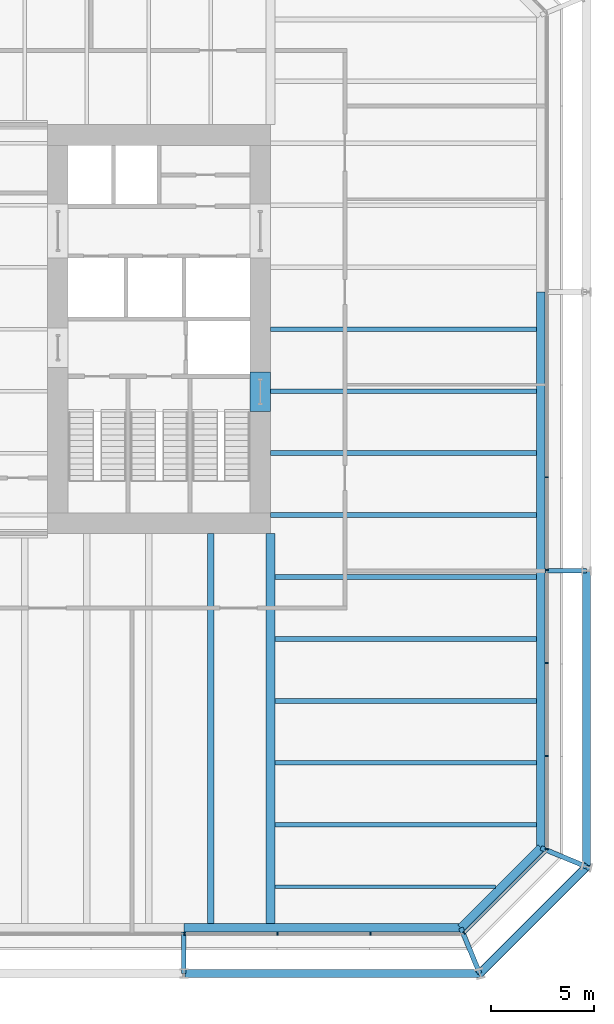
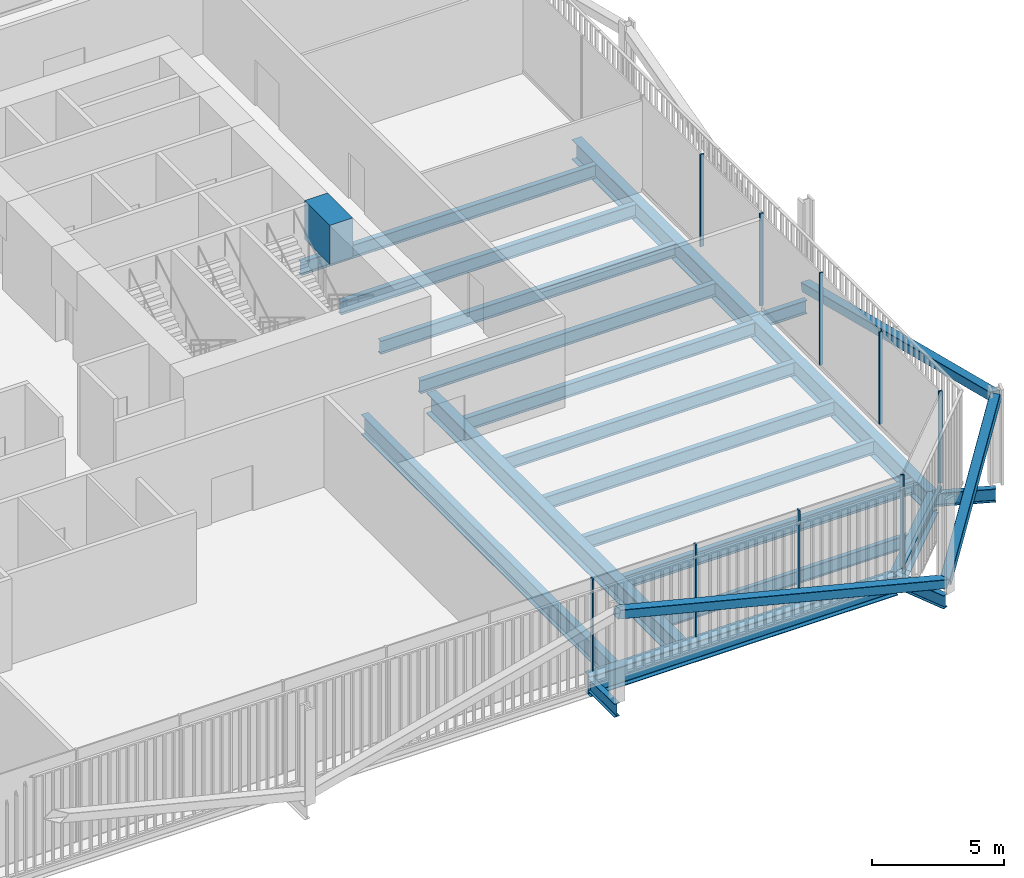
# One storey, part 8 of 21: 21 beams, 13 members, 3 elements without a shape of their own.
"""IFC4 building model written with IfcOpenShell, lengths in metres."""

from ifc_helpers import new_model, si_unit, direction, frame, origin, origin_2d, place, context, subcontext, project, spatial, rectangle, hollow_rectangle, i_section, extrude, material, layer, layer_set, material_profile, profile_set, type_object, element, aggregate, save


model = new_model("IFC4")

# Units and contexts
model_context = context("Model", 3, precision=1e-05, world=origin(), true_north=direction((0.0, 1.0)))
body_context = subcontext(model_context, "Body", "Model", "MODEL_VIEW")
ifc_project = project(units=[si_unit("LENGTHUNIT", "METRE"), si_unit("AREAUNIT", "SQUARE_METRE"), si_unit("VOLUMEUNIT", "CUBIC_METRE"), si_unit("PLANEANGLEUNIT", "RADIAN"), si_unit("MASSUNIT", "GRAM", prefix="KILO")], contexts=[model_context])

# Site, building, storey
site_placement = place(None, origin())
site = spatial("IfcSite", under=ifc_project, at=site_placement, CompositionType="ELEMENT")
building_placement = place(site_placement, origin())
building = spatial("IfcBuilding", under=site, at=building_placement, Name="Millrace Tower", CompositionType="ELEMENT")
storey_placement = place(building_placement, frame((0.0, 0.0, 90.800048828125)))
storey = spatial("IfcBuildingStorey", under=building, at=storey_placement, Name="L20", CompositionType="ELEMENT", Elevation=90.800048828125)

# Curtain wall, members
ifc_material_1 = material(Name="Aluminium and glass", Category="aluminium")
ifc_layer = layer(ifc_material_1, 0.14990234375)
ifc_layer_set = layer_set([ifc_layer], Name="Aluminium and glass")
curtain_wall_type = type_object("IfcCurtainWallType", Name="CW-3 telecom floor curtain wall", PredefinedType="NOTDEFINED", material=ifc_layer_set)
placement = place(storey_placement, origin())
curtain_wall_1 = element("IfcCurtainWall", 1, at=placement, inside=storey, type_object=curtain_wall_type, Name="Curtain wall B-F02 L20", PredefinedType="NOTDEFINED")
ifc_material_2 = material(Name="Aluminium", Category="aluminium")
ifc_material_profile_1 = material_profile(ifc_material_2, rectangle(XDim=0.06494140625, YDim=0.14990234375, at=origin_2d()))
ifc_profile_set_1 = profile_set([ifc_material_profile_1], Name="Aluminium")
member_type_1 = type_object("IfcMemberType", Name="CW-3 telecom floor curtain wall mullion", PredefinedType="MULLION", material=ifc_profile_set_1)
member_1_placement = place(storey_placement, frame((10.732421875, -29.27490234375, 0.14990234375), z_axis=(0.0, 0.0, 1.0), x_axis=(1.0, 0.0, 0.0)))
member_1 = element("IfcMember", 2, at=member_1_placement, type_object=member_type_1, Name="CW3 mullion B-F02.7", PredefinedType="MULLION", context=body_context, shape_type="SweptSolid", body=[
    extrude(rectangle(XDim=0.06494140625, YDim=0.14990234375, at=origin_2d()), origin(), (0.0, 0.0, 1.0), 4.25),
])
member_2_placement = place(storey_placement, frame((15.232421875, -29.27490234375, 0.14990234375), z_axis=(0.0, 0.0, 1.0), x_axis=(1.0, 0.0, 0.0)))
member_2 = element("IfcMember", 3, at=member_2_placement, type_object=member_type_1, Name="CW3 mullion B-F02.8", PredefinedType="MULLION", context=body_context, shape_type="SweptSolid", body=[
    extrude(rectangle(XDim=0.06494140625, YDim=0.14990234375, at=origin_2d()), origin(), (0.0, 0.0, 1.0), 4.25),
])
member_3_placement = place(storey_placement, frame((19.732421875, -29.27490234375, 0.14990234375), z_axis=(0.0, 0.0, 1.0), x_axis=(1.0, 0.0, 0.0)))
member_3 = element("IfcMember", 4, at=member_3_placement, type_object=member_type_1, Name="CW3 mullion B-F02.9", PredefinedType="MULLION", context=body_context, shape_type="SweptSolid", body=[
    extrude(rectangle(XDim=0.06494140625, YDim=0.14990234375, at=origin_2d()), origin(), (0.0, 0.0, 1.0), 4.25),
])
aggregate(curtain_wall_1, [member_1, member_2, member_3])

# Curtain wall, member
curtain_wall_2 = element("IfcCurtainWall", 5, at=placement, inside=storey, type_object=curtain_wall_type, Name="Curtain wall B-F03 L20", PredefinedType="NOTDEFINED")
member_4_placement = place(storey_placement, frame((24.276123046875, -29.22998046875, 0.14990234375), z_axis=(0.0, 0.0, 1.0), x_axis=(0.707106781187, 0.707106781187, 0.0)))
member_4 = element("IfcMember", 6, at=member_4_placement, type_object=member_type_1, Name="CW3 mullion B-F03.1", PredefinedType="MULLION", context=body_context, shape_type="SweptSolid", body=[
    extrude(rectangle(XDim=0.06494140625, YDim=0.14990234375, at=origin_2d()), origin(), (0.0, 0.0, 1.0), 4.25),
])

# Curtain wall, members
curtain_wall_3 = element("IfcCurtainWall", 7, at=placement, inside=storey, type_object=curtain_wall_type, Name="Curtain wall B-F04 L20", PredefinedType="NOTDEFINED")
member_5_placement = place(storey_placement, frame((28.27490234375, -25.16748046875, 0.14990234375), z_axis=(0.0, 0.0, 1.0), x_axis=(0.0, 1.0, 0.0)))
member_5 = element("IfcMember", 8, at=member_5_placement, type_object=member_type_1, Name="CW3 mullion B-F04.1", PredefinedType="MULLION", context=body_context, shape_type="SweptSolid", body=[
    extrude(rectangle(XDim=0.06494140625, YDim=0.14990234375, at=origin_2d()), origin(), (0.0, 0.0, 1.0), 4.25),
])
member_6_placement = place(storey_placement, frame((28.27490234375, -20.66748046875, 0.14990234375), z_axis=(0.0, 0.0, 1.0), x_axis=(0.0, 1.0, 0.0)))
member_6 = element("IfcMember", 9, at=member_6_placement, type_object=member_type_1, Name="CW3 mullion B-F04.2", PredefinedType="MULLION", context=body_context, shape_type="SweptSolid", body=[
    extrude(rectangle(XDim=0.06494140625, YDim=0.14990234375, at=origin_2d()), origin(), (0.0, 0.0, 1.0), 4.25),
])
member_7_placement = place(storey_placement, frame((28.27490234375, -16.16748046875, 0.14990234375), z_axis=(0.0, 0.0, 1.0), x_axis=(0.0, 1.0, 0.0)))
member_7 = element("IfcMember", 10, at=member_7_placement, type_object=member_type_1, Name="CW3 mullion B-F04.3", PredefinedType="MULLION", context=body_context, shape_type="SweptSolid", body=[
    extrude(rectangle(XDim=0.06494140625, YDim=0.14990234375, at=origin_2d()), origin(), (0.0, 0.0, 1.0), 4.25),
])
member_8_placement = place(storey_placement, frame((28.27490234375, -11.66748046875, 0.14990234375), z_axis=(0.0, 0.0, 1.0), x_axis=(0.0, 1.0, 0.0)))
member_8 = element("IfcMember", 11, at=member_8_placement, type_object=member_type_1, Name="CW3 mullion B-F04.4", PredefinedType="MULLION", context=body_context, shape_type="SweptSolid", body=[
    extrude(rectangle(XDim=0.06494140625, YDim=0.14990234375, at=origin_2d()), origin(), (0.0, 0.0, 1.0), 4.25),
])
member_9_placement = place(storey_placement, frame((28.27490234375, -7.16748046875, 0.14990234375), z_axis=(0.0, 0.0, 1.0), x_axis=(0.0, 1.0, 0.0)))
member_9 = element("IfcMember", 12, at=member_9_placement, type_object=member_type_1, Name="CW3 mullion B-F04.5", PredefinedType="MULLION", context=body_context, shape_type="SweptSolid", body=[
    extrude(rectangle(XDim=0.06494140625, YDim=0.14990234375, at=origin_2d()), origin(), (0.0, 0.0, 1.0), 4.25),
])
aggregate(curtain_wall_3, [member_5, member_6, member_7, member_8, member_9])

# Member
ifc_material_3 = material(Name="Aluminium", Category="aluminium")
ifc_material_profile_2 = material_profile(ifc_material_3, rectangle(XDim=0.14990234375, YDim=0.14990234375, at=origin_2d()))
ifc_profile_set_2 = profile_set([ifc_material_profile_2], Name="Aluminium")
member_type_2 = type_object("IfcMemberType", Name="CW-3 telecom floor curtain wall transom", PredefinedType="USERDEFINED", material=ifc_profile_set_2)
member_10_placement = place(storey_placement, frame((24.32373046875, -29.182373046875, 0.074951171875), z_axis=(0.707106781187, 0.707106781187, 0.0), x_axis=(-0.707106781187, 0.707106781187, 0.0)))
member_10 = element("IfcMember", 13, at=member_10_placement, type_object=member_type_2, Name="CW3 transom B-F03.1", ObjectType="TRANSOM", PredefinedType="USERDEFINED", context=body_context, shape_type="SweptSolid", body=[
    extrude(rectangle(XDim=0.14990234375, YDim=0.14990234375, at=origin_2d()), origin(), (0.0, 0.0, 1.0), 5.45703125),
])

aggregate(curtain_wall_2, [member_4, member_10])

# Beam
ifc_material_4 = material(Name="Concrete C80", Category="concrete")
ifc_material_profile_3 = material_profile(ifc_material_4, rectangle(XDim=1.0, YDim=1.800048828125, at=origin_2d()))
ifc_profile_set_3 = profile_set([ifc_material_profile_3], Name="Concrete C80")
beam_type_1 = type_object("IfcBeamType", Name="Coupling beam 1000 x 1800 Concrete C80, 1300 opening", PredefinedType="BEAM", material=ifc_profile_set_3)
beam_1_placement = place(storey_placement, frame((14.39990234375, -2.080078125, 3.300048828125), z_axis=(0.0, -1.0, 0.0), x_axis=(1.0, 0.0, 0.0)))
element("IfcBeam", 14, at=beam_1_placement, inside=storey, type_object=beam_type_1, Name="Coupling beam E L20", PredefinedType="BEAM", context=body_context, shape_type="SweptSolid", body=[
    extrude(rectangle(XDim=1.0, YDim=1.800048828125, at=origin_2d()), origin(), (0.0, 0.0, 1.0), 1.89990234375),
])

# Members
ifc_material_5 = material(Name="Steel ASTM A500 Grade C", Category="steel")
ifc_material_profile_4 = material_profile(ifc_material_5, hollow_rectangle(XDim=0.406494140625, YDim=0.406494140625, WallThickness=0.015869140625, InnerFilletRadius=0.008056640625, OuterFilletRadius=0.02392578125, at=origin_2d()))
ifc_profile_set_4 = profile_set([ifc_material_profile_4], Name="Steel ASTM A500 Grade C")
member_type_3 = type_object("IfcMemberType", Name="Exoskeleton brace HSS16x16x5/8", PredefinedType="BRACE", material=ifc_profile_set_4)
member_11_placement = place(storey_placement, frame((25.0283203125, -31.199951171875, 0.39990234375), z_axis=(-0.969855058964, 0.0, 0.243682507787), x_axis=(0.0, -1.0, 0.0)))
element("IfcMember", 15, at=member_11_placement, inside=storey, type_object=member_type_3, Name="BRC-B-L20-04", PredefinedType="BRACE", context=body_context, shape_type="SweptSolid", body=[
    extrude(hollow_rectangle(XDim=0.406494140625, YDim=0.406494140625, WallThickness=0.015869140625, InnerFilletRadius=0.008056640625, OuterFilletRadius=0.02392578125, at=origin_2d()), origin(), (0.0, 0.0, 1.0), 14.773681640625),
])
member_12_placement = place(storey_placement, frame((25.0283203125, -31.199951171875, 0.39990234375), z_axis=(0.634413949017, 0.634413949017, 0.441630934816), x_axis=(-0.707106781187, 0.707106781187, 0.0)))
element("IfcMember", 16, at=member_12_placement, inside=storey, type_object=member_type_3, Name="BRC-B-L20-05", PredefinedType="BRACE", context=body_context, shape_type="SweptSolid", body=[
    extrude(hollow_rectangle(XDim=0.406494140625, YDim=0.406494140625, WallThickness=0.015869140625, InnerFilletRadius=0.008056640625, OuterFilletRadius=0.02392578125, at=origin_2d()), origin(), (0.0, 0.0, 1.0), 8.15185546875),
])
member_13_placement = place(storey_placement, frame((30.199951171875, -11.699951171875, 0.39990234375), z_axis=(0.0, -0.969855058964, 0.243682507787), x_axis=(1.0, 0.0, 0.0)))
element("IfcMember", 17, at=member_13_placement, inside=storey, type_object=member_type_3, Name="BRC-B-L20-06", PredefinedType="BRACE", context=body_context, shape_type="SweptSolid", body=[
    extrude(hollow_rectangle(XDim=0.406494140625, YDim=0.406494140625, WallThickness=0.015869140625, InnerFilletRadius=0.008056640625, OuterFilletRadius=0.02392578125, at=origin_2d()), origin(), (0.0, 0.0, 1.0), 14.773681640625),
])

# Beams
ifc_material_6 = material(Name="Steel ASTM A992 Grade 50", Category="steel")
ifc_material_profile_5 = material_profile(ifc_material_6, i_section(OverallWidth=0.1787109375, OverallDepth=0.60205078125, WebThickness=0.010986328125, FlangeThickness=0.014892578125, FilletRadius=0.0126953125, at=origin_2d()))
ifc_profile_set_5 = profile_set([ifc_material_profile_5], Name="Steel ASTM A992 Grade 50")
beam_type_2 = type_object("IfcBeamType", Name="Floor beam W24x62", PredefinedType="JOIST", material=ifc_profile_set_5)
beam_2_placement = place(storey_placement, frame((15.11083984375, -27.0, -0.5009765625), z_axis=(1.0, 0.0, 0.0), x_axis=(0.0, 1.0, 0.0)))
element("IfcBeam", 18, at=beam_2_placement, inside=storey, type_object=beam_type_2, Name="BM-B-L20-S1-S002", PredefinedType="JOIST", context=body_context, shape_type="SweptSolid", body=[
    extrude(i_section(OverallWidth=0.1787109375, OverallDepth=0.60205078125, WebThickness=0.010986328125, FlangeThickness=0.014892578125, FilletRadius=0.0126953125, at=origin_2d()), origin(), (0.0, 0.0, 1.0), 10.67236328125),
])
ifc_material_7 = material(Name="Steel ASTM A992 Grade 50", Category="steel")
ifc_material_profile_6 = material_profile(ifc_material_7, i_section(OverallWidth=0.228271484375, OverallDepth=0.607177734375, WebThickness=0.01123046875, FlangeThickness=0.017333984375, FilletRadius=0.0126953125, at=origin_2d()))
ifc_profile_set_6 = profile_set([ifc_material_profile_6], Name="Steel ASTM A992 Grade 50")
beam_type_3 = type_object("IfcBeamType", Name="Floor beam W24x76", PredefinedType="JOIST", material=ifc_profile_set_6)
for number, where, z_axis, x_axis, name in (
    (19, (15.11083984375, -24.0, -0.503662109375), (1.0, 0.0, 0.0), (0.0, 1.0, 0.0), "BM-B-L20-S1-S004"),
    (20, (15.11083984375, -21.0, -0.503662109375), (1.0, 0.0, 0.0), (0.0, 1.0, 0.0), "BM-B-L20-S1-S006"),
    (21, (15.11083984375, -18.0, -0.503662109375), (1.0, 0.0, 0.0), (0.0, 1.0, 0.0), "BM-B-L20-S1-S008"),
    (22, (15.11083984375, -15.0, -0.503662109375), (1.0, 0.0, 0.0), (0.0, 1.0, 0.0), "BM-B-L20-S1-S010"),
    (23, (15.11083984375, -12.0, -0.503662109375), (1.0, 0.0, 0.0), (0.0, 1.0, 0.0), "BM-B-L20-S1-S012"),
):
    element("IfcBeam", number, at=place(storey_placement, frame(where, z_axis=z_axis, x_axis=x_axis)), inside=storey, type_object=beam_type_3, Name=name, PredefinedType="JOIST", context=body_context, shape_type="SweptSolid", body=[
        extrude(i_section(OverallWidth=0.228271484375, OverallDepth=0.607177734375, WebThickness=0.01123046875, FlangeThickness=0.017333984375, FilletRadius=0.0126953125, at=origin_2d()), origin(), (0.0, 0.0, 1.0), 12.670166015625),
    ])
for number, where, z_axis, x_axis, name in (
    (24, (14.89990234375, -9.0, -0.503662109375), (1.0, 0.0, 0.0), (0.0, 1.0, 0.0), "BM-B-L20-S1-S015"),
    (25, (14.89990234375, -6.0, -0.503662109375), (1.0, 0.0, 0.0), (0.0, 1.0, 0.0), "BM-B-L20-S1-S018"),
    (26, (14.89990234375, -3.0, -0.503662109375), (1.0, 0.0, 0.0), (0.0, 1.0, 0.0), "BM-B-L20-S1-S021"),
    (27, (14.89990234375, 0.0, -0.503662109375), (1.0, 0.0, 0.0), (0.0, 1.0, 0.0), "BM-B-L20-S1-S024"),
):
    element("IfcBeam", number, at=place(storey_placement, frame(where, z_axis=z_axis, x_axis=x_axis)), inside=storey, type_object=beam_type_3, Name=name, PredefinedType="JOIST", context=body_context, shape_type="SweptSolid", body=[
        extrude(i_section(OverallWidth=0.228271484375, OverallDepth=0.607177734375, WebThickness=0.01123046875, FlangeThickness=0.017333984375, FilletRadius=0.0126953125, at=origin_2d()), origin(), (0.0, 0.0, 1.0), 12.881103515625),
    ])
ifc_material_8 = material(Name="Steel ASTM A992 Grade 50", Category="steel")
ifc_material_profile_7 = material_profile(ifc_material_8, i_section(OverallWidth=0.307373046875, OverallDepth=0.927001953125, WebThickness=0.01953125, FlangeThickness=0.031982421875, FilletRadius=0.01904296875, at=origin_2d()))
ifc_profile_set_7 = profile_set([ifc_material_profile_7], Name="Steel ASTM A992 Grade 50")
beam_type_4 = type_object("IfcBeamType", Name="Floor beam W36x194", PredefinedType="JOIST", material=ifc_profile_set_7)
beam_3_placement = place(storey_placement, frame((12.0, -28.781005859375, -0.66357421875), z_axis=(0.0, 1.0, 0.0), x_axis=(-1.0, 0.0, 0.0)))
element("IfcBeam", 28, at=beam_3_placement, inside=storey, type_object=beam_type_4, Name="BM-B-L20-S1-S057", PredefinedType="JOIST", context=body_context, shape_type="SweptSolid", body=[
    extrude(i_section(OverallWidth=0.307373046875, OverallDepth=0.927001953125, WebThickness=0.01953125, FlangeThickness=0.031982421875, FilletRadius=0.01904296875, at=origin_2d()), origin(), (0.0, 0.0, 1.0), 18.881103515625),
])
ifc_material_9 = material(Name="Steel ASTM A992 Grade 50", Category="steel")
ifc_material_profile_8 = material_profile(ifc_material_9, i_section(OverallWidth=0.424072265625, OverallDepth=0.947509765625, WebThickness=0.02392578125, FlangeThickness=0.042724609375, FilletRadius=0.024169921875, at=origin_2d()))
ifc_profile_set_8 = profile_set([ifc_material_profile_8], Name="Steel ASTM A992 Grade 50")
beam_type_5 = type_object("IfcBeamType", Name="Girder medium span W36x302", PredefinedType="BEAM", material=ifc_profile_set_8)
beam_4_placement = place(storey_placement, frame((14.89990234375, -28.781005859375, -0.673828125), z_axis=(0.0, 1.0, 0.0), x_axis=(-1.0, 0.0, 0.0)))
element("IfcBeam", 29, at=beam_4_placement, inside=storey, type_object=beam_type_5, Name="BM-B-L20-S1-G061", PredefinedType="BEAM", context=body_context, shape_type="SweptSolid", body=[
    extrude(i_section(OverallWidth=0.424072265625, OverallDepth=0.947509765625, WebThickness=0.02392578125, FlangeThickness=0.042724609375, FilletRadius=0.024169921875, at=origin_2d()), origin(), (0.0, 0.0, 1.0), 18.881103515625),
])
ifc_material_10 = material(Name="Steel ASTM A992 Grade 50", Category="steel")
ifc_material_profile_9 = material_profile(ifc_material_10, i_section(OverallWidth=0.23046875, OverallDepth=0.6171875, WebThickness=0.01318359375, FlangeThickness=0.022216796875, FilletRadius=0.012939453125, at=origin_2d()))
ifc_profile_set_9 = profile_set([ifc_material_profile_9], Name="Steel ASTM A992 Grade 50")
beam_type_6 = type_object("IfcBeamType", Name="Link beam W24x94", PredefinedType="BEAM", material=ifc_profile_set_9)
beam_5_placement = place(storey_placement, frame((28.199951171875, -11.699951171875, -0.508544921875), z_axis=(1.0, 0.0, 0.0), x_axis=(0.0, 1.0, 0.0)))
element("IfcBeam", 30, at=beam_5_placement, inside=storey, type_object=beam_type_6, Name="LNK-B-L20-S1-11", PredefinedType="BEAM", context=body_context, shape_type="SweptSolid", body=[
    extrude(i_section(OverallWidth=0.23046875, OverallDepth=0.6171875, WebThickness=0.01318359375, FlangeThickness=0.022216796875, FilletRadius=0.012939453125, at=origin_2d()), origin(), (0.0, 0.0, 1.0), 2.0),
])
for number, where, z_axis, x_axis, name in (
    (31, (27.990478515625, -25.11328125, -0.508544921875), (0.923902368833, -0.382628295954, 0.0), (0.382628295954, 0.923902368833, 0.0), "LNK-B-L20-S1-12"),
    (32, (24.11328125, -28.990478515625, -0.508544921875), (0.382628295954, -0.923902368833, 0.0), (0.923902368833, 0.382628295954, 0.0), "LNK-B-L20-S1-13"),
):
    element("IfcBeam", number, at=place(storey_placement, frame(where, z_axis=z_axis, x_axis=x_axis)), inside=storey, type_object=beam_type_6, Name=name, PredefinedType="BEAM", context=body_context, shape_type="SweptSolid", body=[
        extrude(i_section(OverallWidth=0.23046875, OverallDepth=0.6171875, WebThickness=0.01318359375, FlangeThickness=0.022216796875, FilletRadius=0.012939453125, at=origin_2d()), origin(), (0.0, 0.0, 1.0), 2.391357421875),
    ])
beam_6_placement = place(storey_placement, frame((10.699951171875, -29.199951171875, -0.508544921875), z_axis=(0.0, -1.0, 0.0), x_axis=(1.0, 0.0, 0.0)))
element("IfcBeam", 33, at=beam_6_placement, inside=storey, type_object=beam_type_6, Name="LNK-B-L20-S1-14", PredefinedType="BEAM", context=body_context, shape_type="SweptSolid", body=[
    extrude(i_section(OverallWidth=0.23046875, OverallDepth=0.6171875, WebThickness=0.01318359375, FlangeThickness=0.022216796875, FilletRadius=0.012939453125, at=origin_2d()), origin(), (0.0, 0.0, 1.0), 2.0),
])
ifc_material_11 = material(Name="Steel ASTM A992 Grade 50", Category="steel")
ifc_material_profile_10 = material_profile(ifc_material_11, i_section(OverallWidth=0.419189453125, OverallDepth=0.927001953125, WebThickness=0.019287109375, FlangeThickness=0.031982421875, FilletRadius=0.024169921875, at=origin_2d()))
ifc_profile_set_10 = profile_set([ifc_material_profile_10], Name="Steel ASTM A992 Grade 50")
beam_type_7 = type_object("IfcBeamType", Name="Ring beam medium span W36x231", PredefinedType="SPANDREL", material=ifc_profile_set_10)
beam_7_placement = place(storey_placement, frame((27.990478515625, 1.800048828125, -0.66357421875), z_axis=(0.0, -1.0, 0.0), x_axis=(1.0, 0.0, 0.0)))
element("IfcBeam", 34, at=beam_7_placement, inside=storey, type_object=beam_type_7, Name="RNG-B-L20-S1-10", PredefinedType="SPANDREL", context=body_context, shape_type="SweptSolid", body=[
    extrude(i_section(OverallWidth=0.419189453125, OverallDepth=0.927001953125, WebThickness=0.019287109375, FlangeThickness=0.031982421875, FilletRadius=0.024169921875, at=origin_2d()), origin(), (0.0, 0.0, 1.0), 13.5),
])
for number, where, z_axis, x_axis, name in (
    (35, (27.990478515625, -11.699951171875, -0.66357421875), (0.0, -1.0, 0.0), (1.0, 0.0, 0.0), "RNG-B-L20-S1-11"),
    (36, (24.11328125, -28.990478515625, -0.66357421875), (-1.0, 0.0, 0.0), (0.0, -1.0, 0.0), "RNG-B-L20-S1-13"),
):
    element("IfcBeam", number, at=place(storey_placement, frame(where, z_axis=z_axis, x_axis=x_axis)), inside=storey, type_object=beam_type_7, Name=name, PredefinedType="SPANDREL", context=body_context, shape_type="SweptSolid", body=[
        extrude(i_section(OverallWidth=0.419189453125, OverallDepth=0.927001953125, WebThickness=0.019287109375, FlangeThickness=0.031982421875, FilletRadius=0.024169921875, at=origin_2d()), origin(), (0.0, 0.0, 1.0), 13.413330078125),
    ])
ifc_material_12 = material(Name="Steel ASTM A992 Grade 50", Category="steel")
ifc_material_profile_11 = material_profile(ifc_material_12, i_section(OverallWidth=0.419189453125, OverallDepth=0.927001953125, WebThickness=0.019287109375, FlangeThickness=0.031982421875, FilletRadius=0.024169921875, at=origin_2d()))
ifc_profile_set_11 = profile_set([ifc_material_profile_11], Name="Steel ASTM A992 Grade 50")
beam_type_8 = type_object("IfcBeamType", Name="Ring beam short span W36x231", PredefinedType="SPANDREL", material=ifc_profile_set_11)
beam_8_placement = place(storey_placement, frame((27.990478515625, -25.11328125, -0.66357421875), z_axis=(-0.707106781187, -0.707106781187, 0.0), x_axis=(0.707106781187, -0.707106781187, 0.0)))
element("IfcBeam", 37, at=beam_8_placement, inside=storey, type_object=beam_type_8, Name="RNG-B-L20-S1-12", PredefinedType="SPANDREL", context=body_context, shape_type="SweptSolid", body=[
    extrude(i_section(OverallWidth=0.419189453125, OverallDepth=0.927001953125, WebThickness=0.019287109375, FlangeThickness=0.031982421875, FilletRadius=0.024169921875, at=origin_2d()), origin(), (0.0, 0.0, 1.0), 5.483154296875),
])

save(model, "model.ifc")
